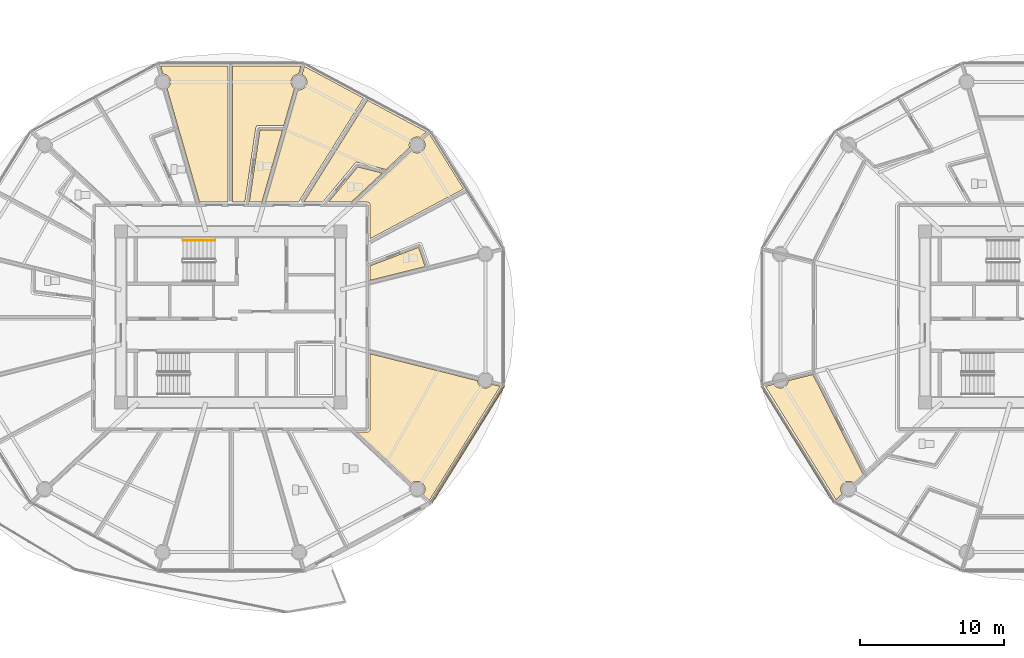
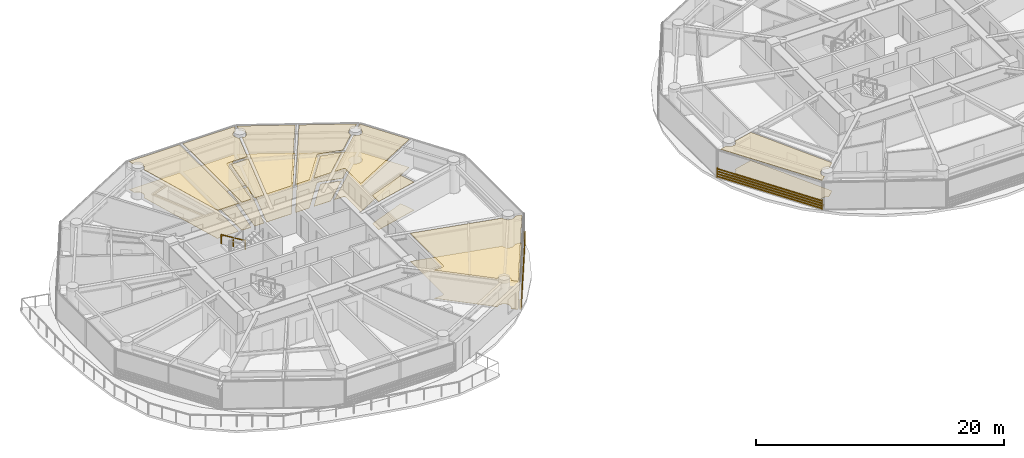
# One storey, part 25 of 31: 20 coverings, 2 shading devices, 1 railing.
"""IFC4 building model written with IfcOpenShell, lengths in metres."""

from ifc_helpers import new_model, si_unit, direction, frame, origin, origin_2d, place, context, subcontext, project, spatial, polyline, rectangle, outline, extrude, source, transform, mapped, material, layer, layer_set, type_object, type_shapes, element, save


model = new_model("IFC4")

# Units and contexts
model_context = context("Model", 3, precision=1e-05, world=origin(), true_north=direction((0.0, 1.0)))
body_context = subcontext(model_context, "Body", "Model", "MODEL_VIEW")
ifc_project = project(units=[si_unit("LENGTHUNIT", "METRE"), si_unit("AREAUNIT", "SQUARE_METRE"), si_unit("VOLUMEUNIT", "CUBIC_METRE"), si_unit("PLANEANGLEUNIT", "RADIAN"), si_unit("MASSUNIT", "GRAM", prefix="KILO")], contexts=[model_context])

# Site, building, storey
site_placement = place(None, origin())
site = spatial("IfcSite", under=ifc_project, at=site_placement, CompositionType="ELEMENT")
building_placement = place(site_placement, origin())
building = spatial("IfcBuilding", under=site, at=building_placement, Name="Norrkilde Senior Care Towers", CompositionType="ELEMENT")
storey_placement = place(building_placement, frame((0.0, 0.0, 42.949951171875)))
storey = spatial("IfcBuildingStorey", under=building, at=storey_placement, Name="L12", CompositionType="ELEMENT", Elevation=42.949951171875)

# Coverings
ifc_material_1 = material(Name="Nordic Ash Timber", Category="wood")
ifc_layer_1 = layer(ifc_material_1, 0.044921875)
ifc_layer_set_1 = layer_set([ifc_layer_1], Name="Nordic Ash Timber")
covering_type_1 = type_object("IfcCoveringType", Name="Acoustic Ash Timber Slatted Ceiling 45", PredefinedType="CEILING", material=ifc_layer_set_1)
covering_1_placement = place(storey_placement, frame((0.0, 0.0, 2.7451171875)))
element("IfcCovering", 1, at=covering_1_placement, inside=storey, type_object=covering_type_1, Name="L12 Suspended Ceiling 0178", PredefinedType="CEILING", context=body_context, shape_type="SweptSolid", body=[
    extrude(outline(polyline([(-18.447509765625, -7.992919921875), (-18.436279296875, -7.989501953125), (-18.428955078125, -7.98681640625), (-18.41796875, -7.982421875), (-18.410888671875, -7.97900390625), (-18.400634765625, -7.973388671875), (-18.393798828125, -7.969482421875), (-18.384033203125, -7.962890625), (-18.377685546875, -7.958251953125), (-18.36865234375, -7.95068359375), (-18.36279296875, -7.945556640625), (-18.3544921875, -7.937255859375), (-18.34912109375, -7.931396484375), (-18.341796875, -7.92236328125), (-18.337158203125, -7.916015625), (-18.33056640625, -7.90625), (-18.326416015625, -7.8994140625), (-18.321044921875, -7.888916015625), (-18.317626953125, -7.8818359375), (-18.31298828125, -7.87109375), (-18.310546875, -7.86376953125), (-18.30712890625, -7.852294921875), (-18.30517578125, -7.8447265625), (-18.302734375, -7.833251953125), (-18.3017578125, -7.825439453125), (-18.300537109375, -7.813720703125), (-18.300048828125, -7.805908203125), (-18.300048828125, -7.800048828125), (-18.300048828125, -2.5546875), (-10.824951171875, -4.427978515625), (-10.811279296875, -4.530517578125), (-10.755859375, -4.66455078125), (-10.667724609375, -4.779541015625), (-10.552734375, -4.86767578125), (-10.4189453125, -4.923095703125), (-10.275146484375, -4.94189453125), (-10.131591796875, -4.923095703125), (-9.997802734375, -4.86767578125), (-9.8828125, -4.779541015625), (-9.80859375, -4.6826171875), (-9.236083984375, -4.826171875), (-14.173095703125, -12.76806640625), (-14.61474609375, -12.35498046875), (-14.5439453125, -12.262939453125), (-14.488525390625, -12.129150390625), (-14.469482421875, -11.9853515625), (-14.488525390625, -11.841796875), (-14.5439453125, -11.7080078125), (-14.632080078125, -11.593017578125), (-14.7470703125, -11.5048828125), (-14.880859375, -11.449462890625), (-15.024658203125, -11.430419921875), (-15.168212890625, -11.449462890625), (-15.302001953125, -11.5048828125), (-15.4169921875, -11.593017578125), (-15.422119140625, -11.599853515625), (-19.27099609375, -8.0), (-18.5, -8.0), (-18.494140625, -7.999755859375), (-18.486328125, -7.99951171875), (-18.474609375, -7.998291015625), (-18.466796875, -7.9970703125), (-18.455322265625, -7.994873046875), (-18.447509765625, -7.992919921875)])), origin(), (0.0, 0.0, 1.0), 0.044921875),
])
covering_2_placement = place(storey_placement, frame((0.0, 0.0, 2.7451171875)))
element("IfcCovering", 2, at=covering_2_placement, inside=storey, type_object=covering_type_1, Name="L12 Suspended Ceiling 0182", PredefinedType="CEILING", context=body_context, shape_type="SweptSolid", body=[
    extrude(outline(polyline([(-18.30517578125, 7.8447265625), (-18.30712890625, 7.852294921875), (-18.310546875, 7.86376953125), (-18.31298828125, 7.87109375), (-18.317626953125, 7.8818359375), (-18.321044921875, 7.888916015625), (-18.326416015625, 7.8994140625), (-18.33056640625, 7.90625), (-18.337158203125, 7.916015625), (-18.341796875, 7.92236328125), (-18.34912109375, 7.931396484375), (-18.3544921875, 7.937255859375), (-18.36279296875, 7.945556640625), (-18.36865234375, 7.95068359375), (-18.377685546875, 7.958251953125), (-18.384033203125, 7.962890625), (-18.393798828125, 7.969482421875), (-18.400634765625, 7.973388671875), (-18.410888671875, 7.97900390625), (-18.41796875, 7.982421875), (-18.428955078125, 7.98681640625), (-18.436279296875, 7.989501953125), (-18.447509765625, 7.992919921875), (-18.455322265625, 7.994873046875), (-18.466796875, 7.9970703125), (-18.474609375, 7.998291015625), (-18.486328125, 7.99951171875), (-18.494140625, 7.999755859375), (-18.5, 8.0), (-19.27099609375, 8.0), (-15.422119140625, 11.599853515625), (-15.4169921875, 11.593017578125), (-15.302001953125, 11.5048828125), (-15.168212890625, 11.449462890625), (-15.024658203125, 11.430419921875), (-14.880859375, 11.449462890625), (-14.7470703125, 11.5048828125), (-14.632080078125, 11.593017578125), (-14.5439453125, 11.7080078125), (-14.488525390625, 11.841796875), (-14.469482421875, 11.9853515625), (-14.488525390625, 12.129150390625), (-14.5439453125, 12.262939453125), (-14.61474609375, 12.35498046875), (-14.173095703125, 12.76806640625), (-11.783935546875, 8.924560546875), (-18.300048828125, 5.4560546875), (-18.300048828125, 7.800048828125), (-18.300048828125, 7.805908203125), (-18.300537109375, 7.813720703125), (-18.3017578125, 7.825439453125), (-18.302734375, 7.833251953125), (-18.30517578125, 7.8447265625)])), origin(), (0.0, 0.0, 1.0), 0.044921875),
])
covering_3_placement = place(storey_placement, frame((0.0, 0.0, 2.7451171875)))
element("IfcCovering", 3, at=covering_3_placement, inside=storey, type_object=covering_type_1, Name="L12 Suspended Ceiling 0183", PredefinedType="CEILING", context=body_context, shape_type="SweptSolid", body=[
    extrude(outline(polyline([(-19.164794921875, 10.781982421875), (-19.1767578125, 10.78369140625), (-19.18408203125, 10.784423828125), (-19.1962890625, 10.784912109375), (-19.203369140625, 10.784912109375), (-19.2158203125, 10.7841796875), (-19.222900390625, 10.783447265625), (-19.235107421875, 10.781494140625), (-19.241943359375, 10.780029296875), (-19.25390625, 10.77685546875), (-19.2607421875, 10.774658203125), (-19.272216796875, 10.770263671875), (-19.27880859375, 10.767333984375), (-19.289794921875, 10.76171875), (-19.296142578125, 10.75830078125), (-19.306396484375, 10.75146484375), (-19.312255859375, 10.747314453125), (-19.32177734375, 10.73974609375), (-19.3271484375, 10.73486328125), (-19.3359375, 10.726318359375), (-19.3408203125, 10.720947265625), (-19.344970703125, 10.716552734375), (-21.600341796875, 8.00146484375), (-21.60107421875, 8.000244140625), (-22.912109375, 8.0), (-18.47412109375, 15.10009765625), (-14.37890625, 12.904296875), (-14.816650390625, 12.494873046875), (-14.880859375, 12.521484375), (-15.024658203125, 12.54052734375), (-15.168212890625, 12.521484375), (-15.302001953125, 12.466064453125), (-15.4169921875, 12.3779296875), (-15.505126953125, 12.262939453125), (-15.560791015625, 12.129150390625), (-15.57958984375, 11.9853515625), (-15.560791015625, 11.841796875), (-15.5478515625, 11.810791015625), (-17.188232421875, 10.276611328125), (-19.151611328125, 10.779052734375), (-19.15771484375, 10.780517578125), (-19.164794921875, 10.781982421875)])), origin(), (0.0, 0.0, 1.0), 0.044921875),
])
covering_4_placement = place(storey_placement, frame((0.0, 0.0, 2.7451171875)))
element("IfcCovering", 4, at=covering_4_placement, inside=storey, type_object=covering_type_1, Name="L12 Suspended Ceiling 0185", PredefinedType="CEILING", context=body_context, shape_type="SweptSolid", body=[
    extrude(outline(polyline([(-23.213134765625, 8.12255859375), (-23.288818359375, 8.0), (-25.583251953125, 8.0), (-23.34033203125, 15.829345703125), (-23.250732421875, 15.8173828125), (-23.10693359375, 15.83642578125), (-22.97314453125, 15.891845703125), (-22.858154296875, 15.97998046875), (-22.77001953125, 16.094970703125), (-22.714599609375, 16.228759765625), (-22.695556640625, 16.37255859375), (-22.714599609375, 16.51611328125), (-22.77001953125, 16.64990234375), (-22.858154296875, 16.764892578125), (-22.97314453125, 16.85302734375), (-23.039306640625, 16.88037109375), (-22.87353515625, 17.458984375), (-18.7568359375, 15.251708984375), (-23.212646484375, 8.123291015625), (-23.212646484375, 8.123046875), (-23.212890625, 8.12255859375), (-23.213134765625, 8.12255859375)])), origin(), (0.0, 0.0, 1.0), 0.044921875),
])
covering_5_placement = place(storey_placement, frame((0.0, 0.0, 2.7451171875)))
element("IfcCovering", 5, at=covering_5_placement, inside=storey, type_object=covering_type_1, Name="L12 Suspended Ceiling 0186", PredefinedType="CEILING", context=body_context, shape_type="SweptSolid", body=[
    extrude(outline(polyline([(-26.095458984375, 13.331298828125), (-26.10205078125, 13.330322265625), (-26.11328125, 13.328125), (-26.11962890625, 13.32666015625), (-26.130615234375, 13.323486328125), (-26.136962890625, 13.3212890625), (-26.1474609375, 13.317138671875), (-26.153564453125, 13.314208984375), (-26.163818359375, 13.30908203125), (-26.16943359375, 13.305908203125), (-26.17919921875, 13.299560546875), (-26.1845703125, 13.2958984375), (-26.193603515625, 13.288818359375), (-26.198486328125, 13.284423828125), (-26.206787109375, 13.276611328125), (-26.21142578125, 13.271728515625), (-26.218994140625, 13.26318359375), (-26.22314453125, 13.2578125), (-26.229736328125, 13.24853515625), (-26.2333984375, 13.2431640625), (-26.239013671875, 13.233154296875), (-26.2421875, 13.227294921875), (-26.246826171875, 13.217041015625), (-26.249267578125, 13.210693359375), (-26.253173828125, 13.199951171875), (-26.255126953125, 13.193603515625), (-26.2578125, 13.1826171875), (-26.259033203125, 13.176025390625), (-26.260009765625, 13.17041015625), (-27.0185546875, 8.0), (-27.8798828125, 8.0), (-27.8798828125, 17.49853515625), (-23.11181640625, 17.49853515625), (-23.2763671875, 16.924072265625), (-23.394287109375, 16.908447265625), (-23.528076171875, 16.85302734375), (-23.64306640625, 16.764892578125), (-23.731201171875, 16.64990234375), (-23.786865234375, 16.51611328125), (-23.8056640625, 16.37255859375), (-23.786865234375, 16.228759765625), (-23.731201171875, 16.094970703125), (-23.64306640625, 15.97998046875), (-23.564208984375, 15.91943359375), (-24.305908203125, 13.330322265625), (-26.07177734375, 13.332763671875), (-26.077392578125, 13.332763671875), (-26.083984375, 13.332275390625), (-26.095458984375, 13.331298828125)])), origin(), (0.0, 0.0, 1.0), 0.044921875),
])
covering_6_placement = place(storey_placement, frame((0.0, 0.0, 2.7451171875)))
element("IfcCovering", 6, at=covering_6_placement, inside=storey, type_object=covering_type_1, Name="L12 Suspended Ceiling 0188", PredefinedType="CEILING", context=body_context, shape_type="SweptSolid", body=[
    extrude(outline(polyline([(-28.199951171875, 17.49853515625), (-28.199951171875, 8.0), (-30.1669921875, 8.0), (-32.435791015625, 15.91943359375), (-32.35693359375, 15.97998046875), (-32.268798828125, 16.094970703125), (-32.213134765625, 16.228759765625), (-32.1943359375, 16.37255859375), (-32.213134765625, 16.51611328125), (-32.268798828125, 16.64990234375), (-32.35693359375, 16.764892578125), (-32.471923828125, 16.85302734375), (-32.605712890625, 16.908447265625), (-32.7236328125, 16.924072265625), (-32.88818359375, 17.49853515625), (-28.199951171875, 17.49853515625)])), origin(), (0.0, 0.0, 1.0), 0.044921875),
])
covering_7_placement = place(storey_placement, frame((0.0, 0.0, 2.7451171875)))
element("IfcCovering", 7, at=covering_7_placement, inside=storey, type_object=covering_type_1, Name="L12 Suspended Ceiling 0195", PredefinedType="CEILING", context=body_context, shape_type="SweptSolid", body=[
    extrude(outline(polyline([(9.8828125, -4.779541015625), (9.997802734375, -4.86767578125), (10.131591796875, -4.923095703125), (10.275146484375, -4.94189453125), (10.4189453125, -4.923095703125), (10.552734375, -4.86767578125), (10.667724609375, -4.779541015625), (10.755859375, -4.66455078125), (10.811279296875, -4.530517578125), (10.824951171875, -4.427978515625), (12.534912109375, -3.99951171875), (16.056640625, -10.986083984375), (15.399169921875, -11.579345703125), (15.302001953125, -11.5048828125), (15.168212890625, -11.449462890625), (15.024658203125, -11.430419921875), (14.880859375, -11.449462890625), (14.7470703125, -11.5048828125), (14.632080078125, -11.593017578125), (14.5439453125, -11.7080078125), (14.488525390625, -11.841796875), (14.469482421875, -11.9853515625), (14.488525390625, -12.129150390625), (14.5439453125, -12.262939453125), (14.583740234375, -12.31494140625), (14.14013671875, -12.715087890625), (9.236083984375, -4.826171875), (9.80859375, -4.6826171875), (9.8828125, -4.779541015625)])), origin(), (0.0, 0.0, 1.0), 0.044921875),
])
ifc_material_2 = material(Name="Gypsum Acoustic Board")
ifc_layer_2 = layer(ifc_material_2, 0.030029296875)
ifc_layer_set_2 = layer_set([ifc_layer_2], Name="Gypsum Acoustic Board")
covering_type_2 = type_object("IfcCoveringType", Name="Medical Cleanable Gypsum Ceiling 30", PredefinedType="CEILING", material=ifc_layer_set_2)
covering_8_placement = place(storey_placement, frame((0.0, 0.0, 2.760009765625)))
element("IfcCovering", 8, at=covering_8_placement, inside=storey, type_object=covering_type_2, Name="L12 Suspended Ceiling 0181", PredefinedType="CEILING", context=body_context, shape_type="SweptSolid", body=[
    extrude(outline(polyline([(-14.458740234375, 3.517333984375), (-18.300048828125, 2.5546875), (-18.300048828125, 3.56787109375), (-14.922607421875, 4.85498046875), (-14.458740234375, 3.517333984375)])), origin(), (0.0, 0.0, 1.0), 0.030029296875),
])
covering_9_placement = place(storey_placement, frame((0.0, 0.0, 2.760009765625)))
element("IfcCovering", 9, at=covering_9_placement, inside=storey, type_object=covering_type_2, Name="L12 Suspended Ceiling 0184", PredefinedType="CEILING", context=body_context, shape_type="SweptSolid", body=[
    extrude(outline(polyline([(-17.456787109375, 10.025390625), (-19.622314453125, 8.0), (-21.198486328125, 8.0), (-19.155029296875, 10.4599609375), (-17.456787109375, 10.025390625)])), origin(), (0.0, 0.0, 1.0), 0.030029296875),
])
covering_10_placement = place(storey_placement, frame((0.0, 0.0, 2.760009765625)))
element("IfcCovering", 10, at=covering_10_placement, inside=storey, type_object=covering_type_2, Name="L12 Suspended Ceiling 0187", PredefinedType="CEILING", context=body_context, shape_type="SweptSolid", body=[
    extrude(outline(polyline([(-24.394775390625, 13.0205078125), (-25.8330078125, 8.0), (-26.705078125, 8.0), (-25.96826171875, 13.022705078125), (-24.394775390625, 13.0205078125)])), origin(), (0.0, 0.0, 1.0), 0.030029296875),
])
ifc_material_3 = material(Name="Slip-Resistant Porcelain Stone", Category="masonry")
ifc_layer_3 = layer(ifc_material_3, 0.02490234375)
ifc_layer_set_3 = layer_set([ifc_layer_3], Name="Slip-Resistant Porcelain Stone")
covering_type_3 = type_object("IfcCoveringType", Name="Slip-Resistant Porcelain Flooring 25", PredefinedType="FLOORING", material=ifc_layer_set_3)
covering_11_placement = place(storey_placement, origin())
element("IfcCovering", 11, at=covering_11_placement, inside=storey, type_object=covering_type_3, Name="L12 Floor Finish 0178", PredefinedType="FLOORING", context=body_context, shape_type="SweptSolid", body=[
    extrude(outline(polyline([(-18.447509765625, -7.992919921875), (-18.436279296875, -7.989501953125), (-18.428955078125, -7.98681640625), (-18.41796875, -7.982421875), (-18.410888671875, -7.97900390625), (-18.400634765625, -7.973388671875), (-18.393798828125, -7.969482421875), (-18.384033203125, -7.962890625), (-18.377685546875, -7.958251953125), (-18.36865234375, -7.95068359375), (-18.36279296875, -7.945556640625), (-18.3544921875, -7.937255859375), (-18.34912109375, -7.931396484375), (-18.341796875, -7.92236328125), (-18.337158203125, -7.916015625), (-18.33056640625, -7.90625), (-18.326416015625, -7.8994140625), (-18.321044921875, -7.888916015625), (-18.317626953125, -7.8818359375), (-18.31298828125, -7.87109375), (-18.310546875, -7.86376953125), (-18.30712890625, -7.852294921875), (-18.30517578125, -7.8447265625), (-18.302734375, -7.833251953125), (-18.3017578125, -7.825439453125), (-18.300537109375, -7.813720703125), (-18.300048828125, -7.805908203125), (-18.300048828125, -7.800048828125), (-18.300048828125, -2.5546875), (-10.824951171875, -4.427978515625), (-10.811279296875, -4.530517578125), (-10.755859375, -4.66455078125), (-10.667724609375, -4.779541015625), (-10.552734375, -4.86767578125), (-10.4189453125, -4.923095703125), (-10.275146484375, -4.94189453125), (-10.131591796875, -4.923095703125), (-9.997802734375, -4.86767578125), (-9.8828125, -4.779541015625), (-9.80859375, -4.6826171875), (-9.236083984375, -4.826171875), (-14.173095703125, -12.76806640625), (-14.61474609375, -12.35498046875), (-14.5439453125, -12.262939453125), (-14.488525390625, -12.129150390625), (-14.469482421875, -11.9853515625), (-14.488525390625, -11.841796875), (-14.5439453125, -11.7080078125), (-14.632080078125, -11.593017578125), (-14.7470703125, -11.5048828125), (-14.880859375, -11.449462890625), (-15.024658203125, -11.430419921875), (-15.168212890625, -11.449462890625), (-15.302001953125, -11.5048828125), (-15.4169921875, -11.593017578125), (-15.422119140625, -11.599853515625), (-19.27099609375, -8.0), (-18.5, -8.0), (-18.494140625, -7.999755859375), (-18.486328125, -7.99951171875), (-18.474609375, -7.998291015625), (-18.466796875, -7.9970703125), (-18.455322265625, -7.994873046875), (-18.447509765625, -7.992919921875)])), origin(), (0.0, 0.0, 1.0), 0.025146484375),
])
covering_12_placement = place(storey_placement, origin())
element("IfcCovering", 12, at=covering_12_placement, inside=storey, type_object=covering_type_3, Name="L12 Floor Finish 0181", PredefinedType="FLOORING", context=body_context, shape_type="SweptSolid", body=[
    extrude(outline(polyline([(-14.458740234375, 3.517333984375), (-18.300048828125, 2.5546875), (-18.300048828125, 3.56787109375), (-14.922607421875, 4.85498046875), (-14.458740234375, 3.517333984375)])), origin(), (0.0, 0.0, 1.0), 0.025146484375),
])
covering_13_placement = place(storey_placement, origin())
element("IfcCovering", 13, at=covering_13_placement, inside=storey, type_object=covering_type_3, Name="L12 Floor Finish 0182", PredefinedType="FLOORING", context=body_context, shape_type="SweptSolid", body=[
    extrude(outline(polyline([(-18.30517578125, 7.8447265625), (-18.30712890625, 7.852294921875), (-18.310546875, 7.86376953125), (-18.31298828125, 7.87109375), (-18.317626953125, 7.8818359375), (-18.321044921875, 7.888916015625), (-18.326416015625, 7.8994140625), (-18.33056640625, 7.90625), (-18.337158203125, 7.916015625), (-18.341796875, 7.92236328125), (-18.34912109375, 7.931396484375), (-18.3544921875, 7.937255859375), (-18.36279296875, 7.945556640625), (-18.36865234375, 7.95068359375), (-18.377685546875, 7.958251953125), (-18.384033203125, 7.962890625), (-18.393798828125, 7.969482421875), (-18.400634765625, 7.973388671875), (-18.410888671875, 7.97900390625), (-18.41796875, 7.982421875), (-18.428955078125, 7.98681640625), (-18.436279296875, 7.989501953125), (-18.447509765625, 7.992919921875), (-18.455322265625, 7.994873046875), (-18.466796875, 7.9970703125), (-18.474609375, 7.998291015625), (-18.486328125, 7.99951171875), (-18.494140625, 7.999755859375), (-18.5, 8.0), (-19.27099609375, 8.0), (-15.422119140625, 11.599853515625), (-15.4169921875, 11.593017578125), (-15.302001953125, 11.5048828125), (-15.168212890625, 11.449462890625), (-15.024658203125, 11.430419921875), (-14.880859375, 11.449462890625), (-14.7470703125, 11.5048828125), (-14.632080078125, 11.593017578125), (-14.5439453125, 11.7080078125), (-14.488525390625, 11.841796875), (-14.469482421875, 11.9853515625), (-14.488525390625, 12.129150390625), (-14.5439453125, 12.262939453125), (-14.61474609375, 12.35498046875), (-14.173095703125, 12.76806640625), (-11.783935546875, 8.924560546875), (-18.300048828125, 5.4560546875), (-18.300048828125, 7.800048828125), (-18.300048828125, 7.805908203125), (-18.300537109375, 7.813720703125), (-18.3017578125, 7.825439453125), (-18.302734375, 7.833251953125), (-18.30517578125, 7.8447265625)])), origin(), (0.0, 0.0, 1.0), 0.025146484375),
])
covering_14_placement = place(storey_placement, origin())
element("IfcCovering", 14, at=covering_14_placement, inside=storey, type_object=covering_type_3, Name="L12 Floor Finish 0183", PredefinedType="FLOORING", context=body_context, shape_type="SweptSolid", body=[
    extrude(outline(polyline([(-19.164794921875, 10.781982421875), (-19.1767578125, 10.78369140625), (-19.18408203125, 10.784423828125), (-19.1962890625, 10.784912109375), (-19.203369140625, 10.784912109375), (-19.2158203125, 10.7841796875), (-19.222900390625, 10.783447265625), (-19.235107421875, 10.781494140625), (-19.241943359375, 10.780029296875), (-19.25390625, 10.77685546875), (-19.2607421875, 10.774658203125), (-19.272216796875, 10.770263671875), (-19.27880859375, 10.767333984375), (-19.289794921875, 10.76171875), (-19.296142578125, 10.75830078125), (-19.306396484375, 10.75146484375), (-19.312255859375, 10.747314453125), (-19.32177734375, 10.73974609375), (-19.3271484375, 10.73486328125), (-19.3359375, 10.726318359375), (-19.3408203125, 10.720947265625), (-19.344970703125, 10.716552734375), (-21.600341796875, 8.00146484375), (-21.60107421875, 8.000244140625), (-22.912109375, 8.0), (-18.47412109375, 15.10009765625), (-14.37890625, 12.904296875), (-14.816650390625, 12.494873046875), (-14.880859375, 12.521484375), (-15.024658203125, 12.54052734375), (-15.168212890625, 12.521484375), (-15.302001953125, 12.466064453125), (-15.4169921875, 12.3779296875), (-15.505126953125, 12.262939453125), (-15.560791015625, 12.129150390625), (-15.57958984375, 11.9853515625), (-15.560791015625, 11.841796875), (-15.5478515625, 11.810791015625), (-17.188232421875, 10.276611328125), (-19.151611328125, 10.779052734375), (-19.15771484375, 10.780517578125), (-19.164794921875, 10.781982421875)])), origin(), (0.0, 0.0, 1.0), 0.025146484375),
])
covering_15_placement = place(storey_placement, origin())
element("IfcCovering", 15, at=covering_15_placement, inside=storey, type_object=covering_type_3, Name="L12 Floor Finish 0184", PredefinedType="FLOORING", context=body_context, shape_type="SweptSolid", body=[
    extrude(outline(polyline([(-17.456787109375, 10.025390625), (-19.622314453125, 8.0), (-21.198486328125, 8.0), (-19.155029296875, 10.4599609375), (-17.456787109375, 10.025390625)])), origin(), (0.0, 0.0, 1.0), 0.025146484375),
])
covering_16_placement = place(storey_placement, origin())
element("IfcCovering", 16, at=covering_16_placement, inside=storey, type_object=covering_type_3, Name="L12 Floor Finish 0185", PredefinedType="FLOORING", context=body_context, shape_type="SweptSolid", body=[
    extrude(outline(polyline([(-23.213134765625, 8.12255859375), (-23.288818359375, 8.0), (-25.583251953125, 8.0), (-23.34033203125, 15.829345703125), (-23.250732421875, 15.8173828125), (-23.10693359375, 15.83642578125), (-22.97314453125, 15.891845703125), (-22.858154296875, 15.97998046875), (-22.77001953125, 16.094970703125), (-22.714599609375, 16.228759765625), (-22.695556640625, 16.37255859375), (-22.714599609375, 16.51611328125), (-22.77001953125, 16.64990234375), (-22.858154296875, 16.764892578125), (-22.97314453125, 16.85302734375), (-23.039306640625, 16.88037109375), (-22.87353515625, 17.458984375), (-18.7568359375, 15.251708984375), (-23.212646484375, 8.123291015625), (-23.212646484375, 8.123046875), (-23.212890625, 8.12255859375), (-23.213134765625, 8.12255859375)])), origin(), (0.0, 0.0, 1.0), 0.025146484375),
])
covering_17_placement = place(storey_placement, origin())
element("IfcCovering", 17, at=covering_17_placement, inside=storey, type_object=covering_type_3, Name="L12 Floor Finish 0186", PredefinedType="FLOORING", context=body_context, shape_type="SweptSolid", body=[
    extrude(outline(polyline([(-26.095458984375, 13.331298828125), (-26.10205078125, 13.330322265625), (-26.11328125, 13.328125), (-26.11962890625, 13.32666015625), (-26.130615234375, 13.323486328125), (-26.136962890625, 13.3212890625), (-26.1474609375, 13.317138671875), (-26.153564453125, 13.314208984375), (-26.163818359375, 13.30908203125), (-26.16943359375, 13.305908203125), (-26.17919921875, 13.299560546875), (-26.1845703125, 13.2958984375), (-26.193603515625, 13.288818359375), (-26.198486328125, 13.284423828125), (-26.206787109375, 13.276611328125), (-26.21142578125, 13.271728515625), (-26.218994140625, 13.26318359375), (-26.22314453125, 13.2578125), (-26.229736328125, 13.24853515625), (-26.2333984375, 13.2431640625), (-26.239013671875, 13.233154296875), (-26.2421875, 13.227294921875), (-26.246826171875, 13.217041015625), (-26.249267578125, 13.210693359375), (-26.253173828125, 13.199951171875), (-26.255126953125, 13.193603515625), (-26.2578125, 13.1826171875), (-26.259033203125, 13.176025390625), (-26.260009765625, 13.17041015625), (-27.0185546875, 8.0), (-27.8798828125, 8.0), (-27.8798828125, 17.49853515625), (-23.11181640625, 17.49853515625), (-23.2763671875, 16.924072265625), (-23.394287109375, 16.908447265625), (-23.528076171875, 16.85302734375), (-23.64306640625, 16.764892578125), (-23.731201171875, 16.64990234375), (-23.786865234375, 16.51611328125), (-23.8056640625, 16.37255859375), (-23.786865234375, 16.228759765625), (-23.731201171875, 16.094970703125), (-23.64306640625, 15.97998046875), (-23.564208984375, 15.91943359375), (-24.305908203125, 13.330322265625), (-26.07177734375, 13.332763671875), (-26.077392578125, 13.332763671875), (-26.083984375, 13.332275390625), (-26.095458984375, 13.331298828125)])), origin(), (0.0, 0.0, 1.0), 0.025146484375),
])
covering_18_placement = place(storey_placement, origin())
element("IfcCovering", 18, at=covering_18_placement, inside=storey, type_object=covering_type_3, Name="L12 Floor Finish 0187", PredefinedType="FLOORING", context=body_context, shape_type="SweptSolid", body=[
    extrude(outline(polyline([(-24.394775390625, 13.0205078125), (-25.8330078125, 8.0), (-26.705078125, 8.0), (-25.96826171875, 13.022705078125), (-24.394775390625, 13.0205078125)])), origin(), (0.0, 0.0, 1.0), 0.025146484375),
])
covering_19_placement = place(storey_placement, origin())
element("IfcCovering", 19, at=covering_19_placement, inside=storey, type_object=covering_type_3, Name="L12 Floor Finish 0188", PredefinedType="FLOORING", context=body_context, shape_type="SweptSolid", body=[
    extrude(outline(polyline([(-28.199951171875, 17.49853515625), (-28.199951171875, 8.0), (-30.1669921875, 8.0), (-32.435791015625, 15.91943359375), (-32.35693359375, 15.97998046875), (-32.268798828125, 16.094970703125), (-32.213134765625, 16.228759765625), (-32.1943359375, 16.37255859375), (-32.213134765625, 16.51611328125), (-32.268798828125, 16.64990234375), (-32.35693359375, 16.764892578125), (-32.471923828125, 16.85302734375), (-32.605712890625, 16.908447265625), (-32.7236328125, 16.924072265625), (-32.88818359375, 17.49853515625), (-28.199951171875, 17.49853515625)])), origin(), (0.0, 0.0, 1.0), 0.025146484375),
])
covering_20_placement = place(storey_placement, origin())
element("IfcCovering", 20, at=covering_20_placement, inside=storey, type_object=covering_type_3, Name="L12 Floor Finish 0195", PredefinedType="FLOORING", context=body_context, shape_type="SweptSolid", body=[
    extrude(outline(polyline([(9.8828125, -4.779541015625), (9.997802734375, -4.86767578125), (10.131591796875, -4.923095703125), (10.275146484375, -4.94189453125), (10.4189453125, -4.923095703125), (10.552734375, -4.86767578125), (10.667724609375, -4.779541015625), (10.755859375, -4.66455078125), (10.811279296875, -4.530517578125), (10.824951171875, -4.427978515625), (12.534912109375, -3.99951171875), (16.056640625, -10.986083984375), (15.399169921875, -11.579345703125), (15.302001953125, -11.5048828125), (15.168212890625, -11.449462890625), (15.024658203125, -11.430419921875), (14.880859375, -11.449462890625), (14.7470703125, -11.5048828125), (14.632080078125, -11.593017578125), (14.5439453125, -11.7080078125), (14.488525390625, -11.841796875), (14.469482421875, -11.9853515625), (14.488525390625, -12.129150390625), (14.5439453125, -12.262939453125), (14.583740234375, -12.31494140625), (14.14013671875, -12.715087890625), (9.236083984375, -4.826171875), (9.80859375, -4.6826171875), (9.8828125, -4.779541015625)])), origin(), (0.0, 0.0, 1.0), 0.025146484375),
])

# Railing
railing_type = type_object("IfcRailingType", Name="Wall and Stair Handrail 900", PredefinedType="HANDRAIL", material=ifc_material_1)
railing_placement = place(storey_placement, frame((-29.10009765625, 5.35009765625, 0.16943359375)))
element("IfcRailing", 21, at=railing_placement, inside=storey, type_object=railing_type, Name="L12 ST-W1 stair handrail 1", PredefinedType="HANDRAIL", context=body_context, shape_type="SweptSolid", body=[
    extrude(rectangle(XDim=0.048095703125, YDim=0.048095703125, at=origin_2d()), frame((0.0, 0.0, 0.8759765625), z_axis=(-0.855512035549, 0.0, 0.517782924622), x_axis=(0.0, -1.0, 0.0)), (0.0, 0.0, 1.0), 2.618408203125),
    extrude(rectangle(XDim=0.0419921875, YDim=0.0419921875, at=origin_2d()), origin(), (0.0, 0.0, 1.0), 0.849853515625),
    extrude(rectangle(XDim=0.0419921875, YDim=0.0419921875, at=origin_2d()), frame((-1.1201171875, 0.0, 0.677734375)), (0.0, 0.0, 1.0), 0.849853515625),
    extrude(rectangle(XDim=0.0419921875, YDim=0.0419921875, at=origin_2d()), frame((-2.239990234375, 0.0, 1.355712890625)), (0.0, 0.0, 1.0), 0.849853515625),
])

# Shading devices
ifc_material_4 = material(Name="Architectural Terracotta", Category="masonry")
shading_device_type = type_object("IfcShadingDeviceType", Name="Horizontal Terracotta Baguette Rack", PredefinedType="USERDEFINED", material=ifc_material_4)
shared_shape = source(origin(), body_context, "Body", "SweptSolid", [
    extrude(rectangle(XDim=0.070068359375, YDim=0.110107421875, at=origin_2d()), frame((0.0, 0.090087890625, 0.125), z_axis=(1.0, 0.0, 0.0), x_axis=(0.0, 1.0, 0.0)), (0.0, 0.0, 1.0), 9.64892578125),
    extrude(rectangle(XDim=0.070068359375, YDim=0.110107421875, at=origin_2d()), frame((0.0, 0.090087890625, 0.375), z_axis=(1.0, 0.0, 0.0), x_axis=(0.0, 1.0, 0.0)), (0.0, 0.0, 1.0), 9.64892578125),
    extrude(rectangle(XDim=0.070068359375, YDim=0.110107421875, at=origin_2d()), frame((0.0, 0.090087890625, 0.625), z_axis=(1.0, 0.0, 0.0), x_axis=(0.0, 1.0, 0.0)), (0.0, 0.0, 1.0), 9.64892578125),
    extrude(rectangle(XDim=0.070068359375, YDim=0.110107421875, at=origin_2d()), frame((0.0, 0.090087890625, 0.875), z_axis=(1.0, 0.0, 0.0), x_axis=(0.0, 1.0, 0.0)), (0.0, 0.0, 1.0), 9.64892578125),
    extrude(rectangle(XDim=0.050048828125, YDim=0.1552734375, at=origin_2d()), frame((0.02490234375, 0.047607421875, 0.0)), (0.0, 0.0, 1.0), 1.0),
    extrude(rectangle(XDim=0.050048828125, YDim=0.1552734375, at=origin_2d()), frame((9.6240234375, 0.047607421875, 0.0)), (0.0, 0.0, 1.0), 1.0),
])
type_shapes(shading_device_type, [shared_shape])
for number, where, z_axis, x_axis, name in (
    (22, (-8.990478515625, -4.731201171875, 0.080078125), (0.0, 0.0, 1.0), (-0.527908506655, -0.849299124538, 0.0), "L12 Drum W Terracotta Baguette Screen 10"),
    (23, (14.084228515625, -12.926025390625, 0.080078125), (0.0, 0.0, 1.0), (-0.527908506655, 0.849299124538, 0.0), "L12 Drum E Terracotta Baguette Screen 06"),
):
    element("IfcShadingDevice", number, at=place(storey_placement, frame(where, z_axis=z_axis, x_axis=x_axis)), inside=storey, type_object=shading_device_type, Name=name, ObjectType="BAGUETTE", PredefinedType="USERDEFINED", context=body_context, shape_type="MappedRepresentation", body=[
        mapped(shared_shape, transform((0.0, 0.0, 0.0), x_axis=(1.0, 0.0, 0.0), y_axis=(0.0, 1.0, 0.0), z_axis=(0.0, 0.0, 1.0), scale=1.0)),
    ])

save(model, "model.ifc")
